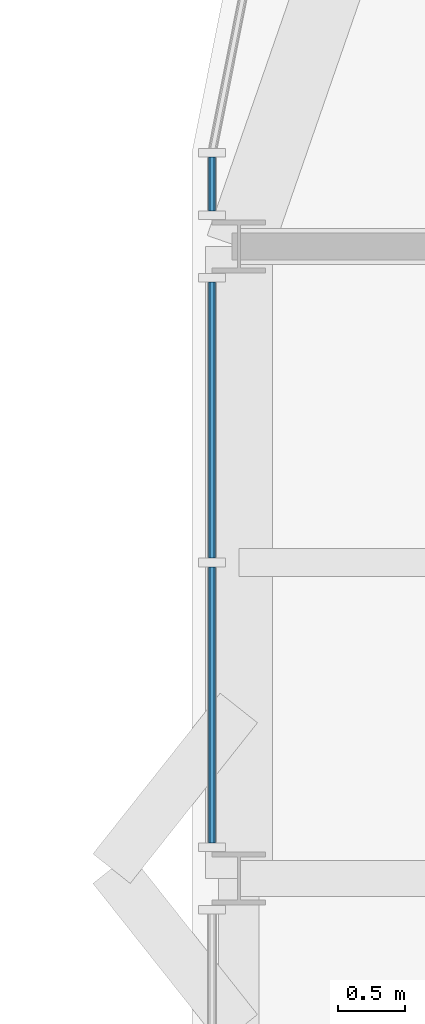
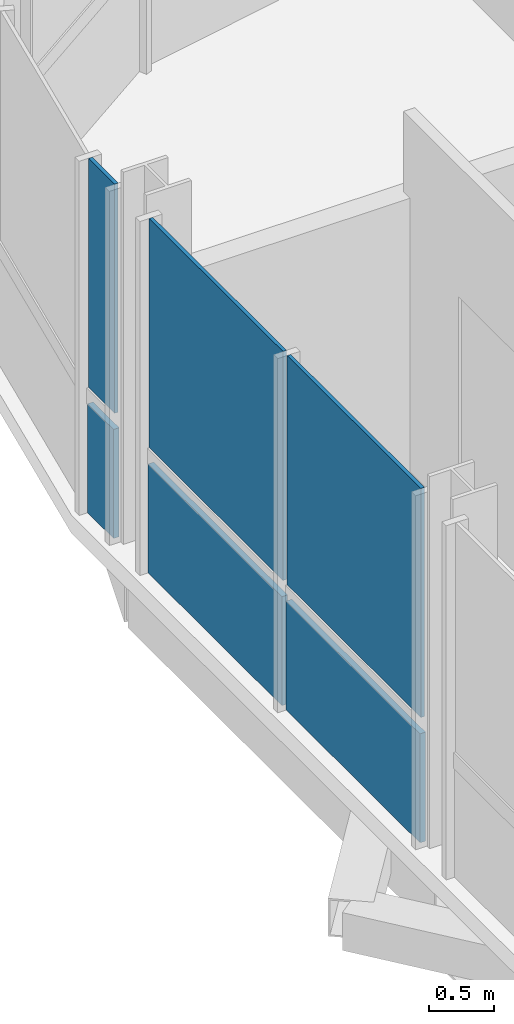
# One storey, part 9 of 17: 6 plates, 2 elements without a shape of their own.
"""IFC4 building model written with IfcOpenShell, lengths in metres."""

from ifc_helpers import new_model, si_unit, direction, frame, origin, origin_2d, place, context, subcontext, project, spatial, rectangle, extrude, material, layer, layer_set, type_object, element, aggregate, save


model = new_model("IFC4")

# Units and contexts
model_context = context("Model", 3, precision=1e-05, world=origin(), true_north=direction((0.0, 1.0)))
body_context = subcontext(model_context, "Body", "Model", "MODEL_VIEW")
ifc_project = project(units=[si_unit("LENGTHUNIT", "METRE"), si_unit("AREAUNIT", "SQUARE_METRE"), si_unit("VOLUMEUNIT", "CUBIC_METRE"), si_unit("PLANEANGLEUNIT", "RADIAN"), si_unit("MASSUNIT", "GRAM", prefix="KILO")], contexts=[model_context])

# Site, building, storey
site_placement = place(None, origin())
site = spatial("IfcSite", under=ifc_project, at=site_placement, CompositionType="ELEMENT")
building_placement = place(site_placement, origin())
building = spatial("IfcBuilding", under=site, at=building_placement, Name="Turquesa Mirador Hotel Tower", CompositionType="ELEMENT")
storey_placement = place(building_placement, frame((0.0, 0.0, 240.699951171875)))
storey = spatial("IfcBuildingStorey", under=building, at=storey_placement, Name="L65", CompositionType="ELEMENT", Elevation=240.699951171875)

# Curtain wall, plate
ifc_material_1 = material(Name="Aluminium extrusion", Category="aluminium")
curtain_wall_type = type_object("IfcCurtainWallType", Name="CW-4 SUITE FRITTED CURTAIN WALL", PredefinedType="USERDEFINED", material=ifc_material_1)
curtain_wall_1_placement = place(storey_placement, origin())
curtain_wall_1 = element("IfcCurtainWall", 1, at=curtain_wall_1_placement, inside=storey, type_object=curtain_wall_type, Name="CW-4 SUITE FRITTED CURTAIN WALL L65", ObjectType="CURTAIN WALL", PredefinedType="USERDEFINED")
ifc_material_2 = material(Name="Ceramic-printed spandrel glass on an insulated back pan", Category="glass")
ifc_layer_1 = layer(ifc_material_2, 0.050048828125)
ifc_layer_set_1 = layer_set([ifc_layer_1], Name="CW PANEL SPANDREL CERAMIC")
plate_type_1 = type_object("IfcPlateType", Name="CW PANEL SPANDREL CERAMIC", PredefinedType="CURTAIN_PANEL", material=ifc_layer_set_1)
plate_1_placement = place(storey_placement, frame((37.14990234375, 57.266845703125, 0.0), z_axis=(0.0, 0.0, 1.0), x_axis=(0.0, -1.0, 0.0)))
plate_1 = element("IfcPlate", 2, at=plate_1_placement, type_object=plate_type_1, Name="Panel", PredefinedType="CURTAIN_PANEL", context=body_context, shape_type="SweptSolid", body=[
    extrude(rectangle(XDim=0.401123046875, YDim=0.050048828125, at=origin_2d()), origin(), (0.0, 0.0, 1.0), 1.02490234375),
])

# Curtain wall, plates
curtain_wall_2_placement = place(storey_placement, origin())
curtain_wall_2 = element("IfcCurtainWall", 3, at=curtain_wall_2_placement, inside=storey, type_object=curtain_wall_type, Name="CW-4 SUITE FRITTED CURTAIN WALL L65", ObjectType="CURTAIN WALL", PredefinedType="USERDEFINED")
plate_2_placement = place(storey_placement, frame((37.14990234375, 55.503173828125, 0.0), z_axis=(0.0, 0.0, 1.0), x_axis=(0.0, -1.0, 0.0)))
plate_2 = element("IfcPlate", 4, at=plate_2_placement, type_object=plate_type_1, Name="Panel", PredefinedType="CURTAIN_PANEL", context=body_context, shape_type="SweptSolid", body=[
    extrude(rectangle(XDim=2.06103515625, YDim=0.050048828125, at=origin_2d()), origin(), (0.0, 0.0, 1.0), 1.02490234375),
])
plate_3_placement = place(storey_placement, frame((37.14990234375, 53.376953125, 0.0), z_axis=(0.0, 0.0, 1.0), x_axis=(0.0, -1.0, 0.0)))
plate_3 = element("IfcPlate", 5, at=plate_3_placement, type_object=plate_type_1, Name="Panel", PredefinedType="CURTAIN_PANEL", context=body_context, shape_type="SweptSolid", body=[
    extrude(rectangle(XDim=2.06103515625, YDim=0.050048828125, at=origin_2d()), origin(), (0.0, 0.0, 1.0), 1.02490234375),
])

# Plate
ifc_material_3 = material(Name="Ceramic-fritted laminated glass", Category="glass")
ifc_layer_2 = layer(ifc_material_3, 0.031982421875)
ifc_layer_set_2 = layer_set([ifc_layer_2], Name="CW PANEL VISION FRITTED")
plate_type_2 = type_object("IfcPlateType", Name="CW PANEL VISION FRITTED", PredefinedType="CURTAIN_PANEL", material=ifc_layer_set_2)
plate_4_placement = place(storey_placement, frame((37.14990234375, 57.266845703125, 1.1748046875), z_axis=(0.0, 0.0, 1.0), x_axis=(0.0, -1.0, 0.0)))
plate_4 = element("IfcPlate", 6, at=plate_4_placement, type_object=plate_type_2, Name="Panel", PredefinedType="CURTAIN_PANEL", context=body_context, shape_type="SweptSolid", body=[
    extrude(rectangle(XDim=0.401123046875, YDim=0.031982421875, at=origin_2d()), origin(), (0.0, 0.0, 1.0), 2.155029296875),
])

aggregate(curtain_wall_1, [plate_1, plate_4])

plate_5_placement = place(storey_placement, frame((37.14990234375, 55.503173828125, 1.1748046875), z_axis=(0.0, 0.0, 1.0), x_axis=(0.0, -1.0, 0.0)))
plate_5 = element("IfcPlate", 7, at=plate_5_placement, type_object=plate_type_2, Name="Panel", PredefinedType="CURTAIN_PANEL", context=body_context, shape_type="SweptSolid", body=[
    extrude(rectangle(XDim=2.06103515625, YDim=0.031982421875, at=origin_2d()), origin(), (0.0, 0.0, 1.0), 2.155029296875),
])

plate_6_placement = place(storey_placement, frame((37.14990234375, 53.376953125, 1.1748046875), z_axis=(0.0, 0.0, 1.0), x_axis=(0.0, -1.0, 0.0)))
plate_6 = element("IfcPlate", 8, at=plate_6_placement, type_object=plate_type_2, Name="Panel", PredefinedType="CURTAIN_PANEL", context=body_context, shape_type="SweptSolid", body=[
    extrude(rectangle(XDim=2.06103515625, YDim=0.031982421875, at=origin_2d()), origin(), (0.0, 0.0, 1.0), 2.155029296875),
])

aggregate(curtain_wall_2, [plate_2, plate_5, plate_3, plate_6])

save(model, "model.ifc")
